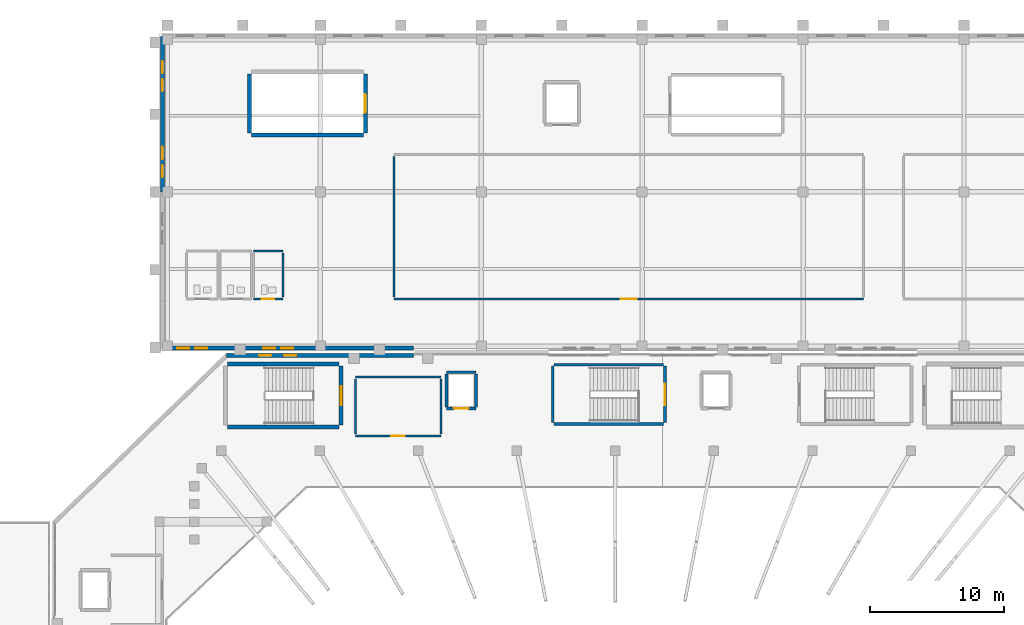
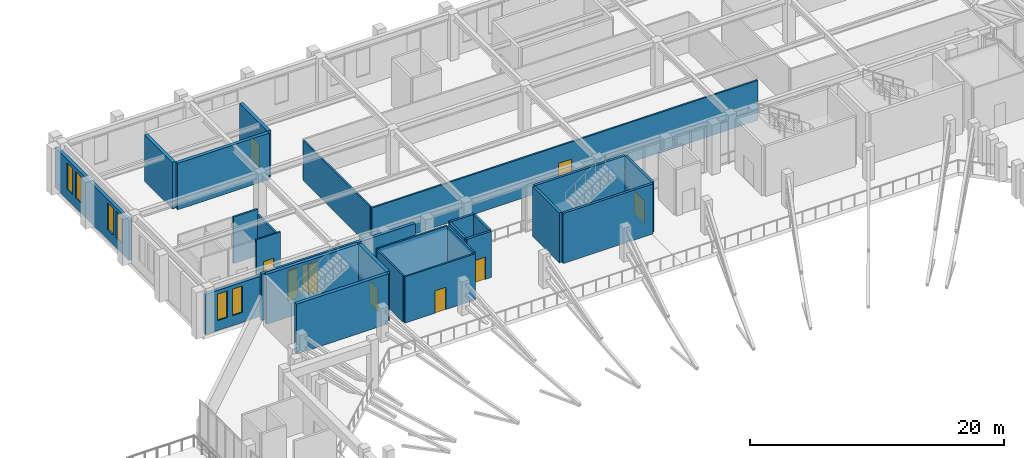
# One storey, part 60 of 79: 26 walls, 10 windows, 7 doors, 17 openings.
"""IFC4 building model written with IfcOpenShell, lengths in metres."""

from ifc_helpers import new_model, si_unit, derived_unit, direction, frame, frame_2d, origin, place, context, subcontext, project, spatial, rectangle, extrude, material, layer, layer_set, type_object, element, fill, save


model = new_model("IFC4")

# Units and contexts
model_context = context("Model", 3, precision=1e-05, world=origin(), true_north=direction((0.0, 1.0)))
body_context = subcontext(model_context, "Body", "Model", "MODEL_VIEW")
ifc_project = project(units=[si_unit("LENGTHUNIT", "METRE"), si_unit("AREAUNIT", "SQUARE_METRE"), si_unit("VOLUMEUNIT", "CUBIC_METRE"), si_unit("PLANEANGLEUNIT", "RADIAN"), si_unit("MASSUNIT", "GRAM", prefix="KILO"), derived_unit("THERMALTRANSMITTANCEUNIT", [(si_unit("MASSUNIT", "GRAM", prefix="KILO"), 1), (si_unit("TIMEUNIT", "SECOND"), -3), (si_unit("THERMODYNAMICTEMPERATUREUNIT", "KELVIN"), -1)])], contexts=[model_context])

# Site, building, storey
site_placement = place(None, origin())
site = spatial("IfcSite", under=ifc_project, at=site_placement, CompositionType="ELEMENT")
building_placement = place(site_placement, origin())
building = spatial("IfcBuilding", under=site, at=building_placement, Name="Valcora Ridge Arena", CompositionType="ELEMENT")
storey_placement = place(building_placement, frame((0.0, 0.0, 16.199951171875)))
storey = spatial("IfcBuildingStorey", under=building, at=storey_placement, Name="L03", CompositionType="ELEMENT", Elevation=16.199951171875)

# Wall, openings, windows
ifc_material_1 = material(Name="Bush-hammered Andean travertine on concrete backup C40/50", Category="masonry")
ifc_layer_1 = layer(ifc_material_1, 0.280029296875, Name="Bush-hammered Andean travertine on concrete backup C40/50")
ifc_layer_set_1 = layer_set([ifc_layer_1], Name="Bush-hammered Andean travertine on concrete backup C40/50")
wall_type_1 = type_object("IfcWallType", Name="TY-WALL-EW-TRV-28-38", PredefinedType="STANDARD", material=ifc_layer_set_1)
wall_1_placement = place(storey_placement, frame((24.219970703125, 120.199951171875, 0.0), z_axis=(0.0, 0.0, 1.0), x_axis=(0.0, 1.0, 0.0)))
wall_1 = element("IfcWall", 1, at=wall_1_placement, inside=storey, type_object=wall_type_1, Name="EW-TRV-28-38 WAL-EW-0215", PredefinedType="STANDARD", context=body_context, shape_type="SweptSolid", body=[
    extrude(rectangle(XDim=11.60009765625, YDim=0.280029296875, at=frame_2d((5.800048828125, 0.0))), origin(), (0.0, 0.0, 1.0), 3.84814453125),
])
opening_1_placement = place(wall_1_placement, frame((1.10009765625, 0.0, 0.949951171875)))
opening_1 = element("IfcOpeningElement", 2, at=opening_1_placement, cuts=wall_1, Name="Opening W-GLAN-90X255", PredefinedType="OPENING", context=body_context, shape_type="SweptSolid", body=[
    extrude(rectangle(XDim=0.89990234375, YDim=2.550048828125, at=frame_2d((0.449951171875, 1.27490234375))), frame((0.0, 0.14990234375, 0.0), z_axis=(0.0, -1.0, 0.0), x_axis=(1.0, 0.0, 0.0)), (0.0, 0.0, 1.0), 0.300048828125),
])
opening_2_placement = place(wall_1_placement, frame((2.449951171875, 0.0, 0.949951171875)))
opening_2 = element("IfcOpeningElement", 3, at=opening_2_placement, cuts=wall_1, Name="Opening W-GLAN-90X255", PredefinedType="OPENING", context=body_context, shape_type="SweptSolid", body=[
    extrude(rectangle(XDim=0.89990234375, YDim=2.550048828125, at=frame_2d((0.449951171875, 1.27490234375))), frame((0.0, 0.14990234375, 0.0), z_axis=(0.0, -1.0, 0.0), x_axis=(1.0, 0.0, 0.0)), (0.0, 0.0, 1.0), 0.300048828125),
])
opening_3_placement = place(wall_1_placement, frame((7.5, 0.0, 0.949951171875)))
opening_3 = element("IfcOpeningElement", 4, at=opening_3_placement, cuts=wall_1, Name="Opening W-GLAN-90X255", PredefinedType="OPENING", context=body_context, shape_type="SweptSolid", body=[
    extrude(rectangle(XDim=0.89990234375, YDim=2.550048828125, at=frame_2d((0.449951171875, 1.27490234375))), frame((0.0, 0.14990234375, 0.0), z_axis=(0.0, -1.0, 0.0), x_axis=(1.0, 0.0, 0.0)), (0.0, 0.0, 1.0), 0.300048828125),
])
opening_4_placement = place(wall_1_placement, frame((8.85009765625, 0.0, 0.949951171875)))
opening_4 = element("IfcOpeningElement", 5, at=opening_4_placement, cuts=wall_1, Name="Opening W-GLAN-90X255", PredefinedType="OPENING", context=body_context, shape_type="SweptSolid", body=[
    extrude(rectangle(XDim=0.89990234375, YDim=2.550048828125, at=frame_2d((0.449951171875, 1.27490234375))), frame((0.0, 0.14990234375, 0.0), z_axis=(0.0, -1.0, 0.0), x_axis=(1.0, 0.0, 0.0)), (0.0, 0.0, 1.0), 0.300048828125),
])
ifc_material_2 = material(Name="Low-iron solar-control double glazing SHGC 0.28", Category="glass")
window_type_1 = type_object("IfcWindowType", Name="TY-WINDOW-W-GLAN-90X255", PartitioningType="DOUBLE_PANEL_VERTICAL", PredefinedType="WINDOW", material=ifc_material_2)
window_1_placement = place(opening_1_placement, origin())
window_1 = element("IfcWindow", 6, at=window_1_placement, inside=storey, type_object=window_type_1, Name="W-GLAN-90X255 WIN-EX-0645", OverallHeight=2.550048828125, OverallWidth=0.89990234375, PartitioningType="DOUBLE_PANEL_VERTICAL", PredefinedType="WINDOW", context=body_context, shape_type="SweptSolid", body=[
    extrude(rectangle(XDim=0.89990234375, YDim=2.550048828125, at=frame_2d((0.449951171875, 1.27490234375))), frame((0.0, 0.030029296875, 0.0), z_axis=(0.0, -1.0, 0.0), x_axis=(1.0, 0.0, 0.0)), (0.0, 0.0, 1.0), 0.06005859375),
])
fill(opening_1, window_1)
window_2_placement = place(opening_2_placement, origin())
window_2 = element("IfcWindow", 7, at=window_2_placement, inside=storey, type_object=window_type_1, Name="W-GLAN-90X255 WIN-EX-0646", OverallHeight=2.550048828125, OverallWidth=0.89990234375, PartitioningType="DOUBLE_PANEL_VERTICAL", PredefinedType="WINDOW", context=body_context, shape_type="SweptSolid", body=[
    extrude(rectangle(XDim=0.89990234375, YDim=2.550048828125, at=frame_2d((0.449951171875, 1.27490234375))), frame((0.0, 0.030029296875, 0.0), z_axis=(0.0, -1.0, 0.0), x_axis=(1.0, 0.0, 0.0)), (0.0, 0.0, 1.0), 0.06005859375),
])
fill(opening_2, window_2)
window_3_placement = place(opening_3_placement, origin())
window_3 = element("IfcWindow", 8, at=window_3_placement, inside=storey, type_object=window_type_1, Name="W-GLAN-90X255 WIN-EX-0647", OverallHeight=2.550048828125, OverallWidth=0.89990234375, PartitioningType="DOUBLE_PANEL_VERTICAL", PredefinedType="WINDOW", context=body_context, shape_type="SweptSolid", body=[
    extrude(rectangle(XDim=0.89990234375, YDim=2.550048828125, at=frame_2d((0.449951171875, 1.27490234375))), frame((0.0, 0.030029296875, 0.0), z_axis=(0.0, -1.0, 0.0), x_axis=(1.0, 0.0, 0.0)), (0.0, 0.0, 1.0), 0.06005859375),
])
fill(opening_3, window_3)
window_4_placement = place(opening_4_placement, origin())
window_4 = element("IfcWindow", 9, at=window_4_placement, inside=storey, type_object=window_type_1, Name="W-GLAN-90X255 WIN-EX-0648", OverallHeight=2.550048828125, OverallWidth=0.89990234375, PartitioningType="DOUBLE_PANEL_VERTICAL", PredefinedType="WINDOW", context=body_context, shape_type="SweptSolid", body=[
    extrude(rectangle(XDim=0.89990234375, YDim=2.550048828125, at=frame_2d((0.449951171875, 1.27490234375))), frame((0.0, 0.030029296875, 0.0), z_axis=(0.0, -1.0, 0.0), x_axis=(1.0, 0.0, 0.0)), (0.0, 0.0, 1.0), 0.06005859375),
])
fill(opening_4, window_4)

wall_2_placement = place(storey_placement, frame((24.219970703125, 108.550048828125, 0.0), z_axis=(0.0, 0.0, 1.0), x_axis=(1.0, 0.0, 0.0)))
wall_2 = element("IfcWall", 10, at=wall_2_placement, inside=storey, type_object=wall_type_1, Name="EW-TRV-28-38 WAL-EW-0216", PredefinedType="STANDARD", context=body_context, shape_type="SweptSolid", body=[
    extrude(rectangle(XDim=18.72998046875, YDim=0.280029296875, at=frame_2d((9.364990234375, 0.0))), origin(), (0.0, 0.0, 1.0), 3.84814453125),
])
opening_5_placement = place(wall_2_placement, frame((1.10009765625, 0.0, 0.949951171875)))
opening_5 = element("IfcOpeningElement", 11, at=opening_5_placement, cuts=wall_2, Name="Opening W-GLAN-90X255", PredefinedType="OPENING", context=body_context, shape_type="SweptSolid", body=[
    extrude(rectangle(XDim=0.89990234375, YDim=2.550048828125, at=frame_2d((0.449951171875, 1.27490234375))), frame((0.0, 0.14990234375, 0.0), z_axis=(0.0, -1.0, 0.0), x_axis=(1.0, 0.0, 0.0)), (0.0, 0.0, 1.0), 0.300048828125),
])
opening_6_placement = place(wall_2_placement, frame((2.449951171875, 0.0, 0.949951171875)))
opening_6 = element("IfcOpeningElement", 12, at=opening_6_placement, cuts=wall_2, Name="Opening W-GLAN-90X255", PredefinedType="OPENING", context=body_context, shape_type="SweptSolid", body=[
    extrude(rectangle(XDim=0.89990234375, YDim=2.550048828125, at=frame_2d((0.449951171875, 1.27490234375))), frame((0.0, 0.14990234375, 0.0), z_axis=(0.0, -1.0, 0.0), x_axis=(1.0, 0.0, 0.0)), (0.0, 0.0, 1.0), 0.300048828125),
])
opening_7_placement = place(wall_2_placement, frame((7.5, 0.0, 0.949951171875)))
opening_7 = element("IfcOpeningElement", 13, at=opening_7_placement, cuts=wall_2, Name="Opening W-GLAN-90X255", PredefinedType="OPENING", context=body_context, shape_type="SweptSolid", body=[
    extrude(rectangle(XDim=0.89990234375, YDim=2.550048828125, at=frame_2d((0.449951171875, 1.27490234375))), frame((0.0, 0.14990234375, 0.0), z_axis=(0.0, -1.0, 0.0), x_axis=(1.0, 0.0, 0.0)), (0.0, 0.0, 1.0), 0.300048828125),
])
opening_8_placement = place(wall_2_placement, frame((8.85009765625, 0.0, 0.949951171875)))
opening_8 = element("IfcOpeningElement", 14, at=opening_8_placement, cuts=wall_2, Name="Opening W-GLAN-90X255", PredefinedType="OPENING", context=body_context, shape_type="SweptSolid", body=[
    extrude(rectangle(XDim=0.89990234375, YDim=2.550048828125, at=frame_2d((0.449951171875, 1.27490234375))), frame((0.0, 0.14990234375, 0.0), z_axis=(0.0, -1.0, 0.0), x_axis=(1.0, 0.0, 0.0)), (0.0, 0.0, 1.0), 0.300048828125),
])
window_5_placement = place(opening_5_placement, origin())
window_5 = element("IfcWindow", 15, at=window_5_placement, inside=storey, type_object=window_type_1, Name="W-GLAN-90X255 WIN-EX-0649", OverallHeight=2.550048828125, OverallWidth=0.89990234375, PartitioningType="DOUBLE_PANEL_VERTICAL", PredefinedType="WINDOW", context=body_context, shape_type="SweptSolid", body=[
    extrude(rectangle(XDim=0.89990234375, YDim=2.550048828125, at=frame_2d((0.449951171875, 1.27490234375))), frame((0.0, 0.030029296875, 0.0), z_axis=(0.0, -1.0, 0.0), x_axis=(1.0, 0.0, 0.0)), (0.0, 0.0, 1.0), 0.06005859375),
])
fill(opening_5, window_5)
window_6_placement = place(opening_6_placement, origin())
window_6 = element("IfcWindow", 16, at=window_6_placement, inside=storey, type_object=window_type_1, Name="W-GLAN-90X255 WIN-EX-0650", OverallHeight=2.550048828125, OverallWidth=0.89990234375, PartitioningType="DOUBLE_PANEL_VERTICAL", PredefinedType="WINDOW", context=body_context, shape_type="SweptSolid", body=[
    extrude(rectangle(XDim=0.89990234375, YDim=2.550048828125, at=frame_2d((0.449951171875, 1.27490234375))), frame((0.0, 0.030029296875, 0.0), z_axis=(0.0, -1.0, 0.0), x_axis=(1.0, 0.0, 0.0)), (0.0, 0.0, 1.0), 0.06005859375),
])
fill(opening_6, window_6)
window_7_placement = place(opening_7_placement, origin())
window_7 = element("IfcWindow", 17, at=window_7_placement, inside=storey, type_object=window_type_1, Name="W-GLAN-90X255 WIN-EX-0651", OverallHeight=2.550048828125, OverallWidth=0.89990234375, PartitioningType="DOUBLE_PANEL_VERTICAL", PredefinedType="WINDOW", context=body_context, shape_type="SweptSolid", body=[
    extrude(rectangle(XDim=0.89990234375, YDim=2.550048828125, at=frame_2d((0.449951171875, 1.27490234375))), frame((0.0, 0.030029296875, 0.0), z_axis=(0.0, -1.0, 0.0), x_axis=(1.0, 0.0, 0.0)), (0.0, 0.0, 1.0), 0.06005859375),
])
fill(opening_7, window_7)
window_8_placement = place(opening_8_placement, origin())
window_8 = element("IfcWindow", 18, at=window_8_placement, inside=storey, type_object=window_type_1, Name="W-GLAN-90X255 WIN-EX-0652", OverallHeight=2.550048828125, OverallWidth=0.89990234375, PartitioningType="DOUBLE_PANEL_VERTICAL", PredefinedType="WINDOW", context=body_context, shape_type="SweptSolid", body=[
    extrude(rectangle(XDim=0.89990234375, YDim=2.550048828125, at=frame_2d((0.449951171875, 1.27490234375))), frame((0.0, 0.030029296875, 0.0), z_axis=(0.0, -1.0, 0.0), x_axis=(1.0, 0.0, 0.0)), (0.0, 0.0, 1.0), 0.06005859375),
])
fill(opening_8, window_8)

ifc_layer_2 = layer(ifc_material_1, 0.280029296875, Name="Bush-hammered Andean travertine on concrete backup C40/50")
ifc_layer_set_2 = layer_set([ifc_layer_2], Name="Bush-hammered Andean travertine on concrete backup C40/50")
wall_type_2 = type_object("IfcWallType", Name="TY-WALL-EW-TRV-28-44", PredefinedType="STANDARD", material=ifc_layer_set_2)
wall_3_placement = place(storey_placement, frame((29.0, 108.0, 0.0), z_axis=(0.0, 0.0, 1.0), x_axis=(1.0, 0.0, 0.0)))
wall_3 = element("IfcWall", 19, at=wall_3_placement, inside=storey, type_object=wall_type_2, Name="EW-TRV-28-44 WAL-EW-0057", PredefinedType="STANDARD", context=body_context, shape_type="SweptSolid", body=[
    extrude(rectangle(XDim=13.949951171875, YDim=0.280029296875, at=frame_2d((6.97509765625, 0.0))), origin(), (0.0, 0.0, 1.0), 4.43994140625),
])
opening_9_placement = place(wall_3_placement, frame((2.449951171875, 0.0, 0.949951171875)))
opening_9 = element("IfcOpeningElement", 20, at=opening_9_placement, cuts=wall_3, Name="Opening W-GLAN-90X285", PredefinedType="OPENING", context=body_context, shape_type="SweptSolid", body=[
    extrude(rectangle(XDim=0.89990234375, YDim=2.85009765625, at=frame_2d((0.449951171875, 1.425048828125))), frame((0.0, 0.14990234375, 0.0), z_axis=(0.0, -1.0, 0.0), x_axis=(1.0, 0.0, 0.0)), (0.0, 0.0, 1.0), 0.300048828125),
])
opening_10_placement = place(wall_3_placement, frame((4.300048828125, 0.0, 0.949951171875)))
opening_10 = element("IfcOpeningElement", 21, at=opening_10_placement, cuts=wall_3, Name="Opening W-GLAN-90X285", PredefinedType="OPENING", context=body_context, shape_type="SweptSolid", body=[
    extrude(rectangle(XDim=0.89990234375, YDim=2.85009765625, at=frame_2d((0.449951171875, 1.425048828125))), frame((0.0, 0.14990234375, 0.0), z_axis=(0.0, -1.0, 0.0), x_axis=(1.0, 0.0, 0.0)), (0.0, 0.0, 1.0), 0.300048828125),
])
window_type_2 = type_object("IfcWindowType", Name="TY-WINDOW-W-GLAN-90X285", PartitioningType="DOUBLE_PANEL_VERTICAL", PredefinedType="WINDOW", material=ifc_material_2)
window_9_placement = place(opening_9_placement, origin())
window_9 = element("IfcWindow", 22, at=window_9_placement, inside=storey, type_object=window_type_2, Name="W-GLAN-90X285 WIN-EX-0132", OverallHeight=2.85009765625, OverallWidth=0.89990234375, PartitioningType="DOUBLE_PANEL_VERTICAL", PredefinedType="WINDOW", context=body_context, shape_type="SweptSolid", body=[
    extrude(rectangle(XDim=0.89990234375, YDim=2.85009765625, at=frame_2d((0.449951171875, 1.425048828125))), frame((0.0, 0.030029296875, 0.0), z_axis=(0.0, -1.0, 0.0), x_axis=(1.0, 0.0, 0.0)), (0.0, 0.0, 1.0), 0.06005859375),
])
fill(opening_9, window_9)
window_10_placement = place(opening_10_placement, origin())
window_10 = element("IfcWindow", 23, at=window_10_placement, inside=storey, type_object=window_type_2, Name="W-GLAN-90X285 WIN-EX-0133", OverallHeight=2.85009765625, OverallWidth=0.89990234375, PartitioningType="DOUBLE_PANEL_VERTICAL", PredefinedType="WINDOW", context=body_context, shape_type="SweptSolid", body=[
    extrude(rectangle(XDim=0.89990234375, YDim=2.85009765625, at=frame_2d((0.449951171875, 1.425048828125))), frame((0.0, 0.030029296875, 0.0), z_axis=(0.0, -1.0, 0.0), x_axis=(1.0, 0.0, 0.0)), (0.0, 0.0, 1.0), 0.06005859375),
])
fill(opening_10, window_10)

# Wall, opening, door
ifc_material_3 = material(Name="Fire-rated masonry-core compartment wall C35/45 150 mm", Category="masonry")
ifc_layer_3 = layer(ifc_material_3, 0.14990234375, Name="Fire-rated masonry-core compartment wall C35/45 150 mm")
ifc_layer_set_3 = layer_set([ifc_layer_3], Name="Fire-rated masonry-core compartment wall C35/45 150 mm")
wall_type_3 = type_object("IfcWallType", Name="TY-WALL-IW-COMP-150", PredefinedType="STANDARD", material=ifc_layer_set_3)
wall_4_placement = place(storey_placement, frame((31.0, 112.199951171875, 0.0), z_axis=(0.0, 0.0, 1.0), x_axis=(1.0, 0.0, 0.0)))
wall_4 = element("IfcWall", 24, at=wall_4_placement, inside=storey, type_object=wall_type_3, Name="IW-COMP-150 WAL-IN-0151", PredefinedType="STANDARD", context=body_context, shape_type="SweptSolid", body=[
    extrude(rectangle(XDim=2.199951171875, YDim=0.14990234375, at=frame_2d((1.10009765625, 0.0))), origin(), (0.0, 0.0, 1.0), 4.4599609375),
])
opening_11_placement = place(wall_4_placement, frame((0.625, 0.0, 0.0)))
opening_11 = element("IfcOpeningElement", 25, at=opening_11_placement, cuts=wall_4, Name="Opening D-WC-950", PredefinedType="OPENING", context=body_context, shape_type="SweptSolid", body=[
    extrude(rectangle(XDim=0.949951171875, YDim=2.14990234375, at=frame_2d((0.47509765625, 1.074951171875))), frame((0.0, 0.0849609375, 0.0), z_axis=(0.0, -1.0, 0.0), x_axis=(1.0, 0.0, 0.0)), (0.0, 0.0, 1.0), 0.169921875),
])
ifc_material_4 = material(Name="Insulated fire-rated steel door leaf", Category="steel")
door_type_1 = type_object("IfcDoorType", Name="TY-DOOR-D-WC-950", OperationType="NOTDEFINED", PredefinedType="DOOR", material=ifc_material_4)
door_1_placement = place(opening_11_placement, origin())
door_1 = element("IfcDoor", 26, at=door_1_placement, inside=storey, type_object=door_type_1, Name="D-WC-950 DOR-IN-0042", OperationType="SINGLE_SWING_RIGHT", OverallHeight=2.14990234375, OverallWidth=0.949951171875, PredefinedType="DOOR", context=body_context, shape_type="SweptSolid", body=[
    extrude(rectangle(XDim=0.949951171875, YDim=2.14990234375, at=frame_2d((0.47509765625, 1.074951171875))), frame((0.0, 0.02490234375, 0.0), z_axis=(0.0, -1.0, 0.0), x_axis=(1.0, 0.0, 0.0)), (0.0, 0.0, 1.0), 0.050048828125),
])
fill(opening_11, door_1)

# Walls
wall_5_placement = place(storey_placement, frame((31.0, 115.800048828125, 0.0), z_axis=(0.0, 0.0, 1.0), x_axis=(1.0, 0.0, 0.0)))
element("IfcWall", 27, at=wall_5_placement, inside=storey, type_object=wall_type_3, Name="IW-COMP-150 WAL-IN-0152", PredefinedType="STANDARD", context=body_context, shape_type="SweptSolid", body=[
    extrude(rectangle(XDim=2.199951171875, YDim=0.14990234375, at=frame_2d((1.10009765625, 0.0))), origin(), (0.0, 0.0, 1.0), 4.4599609375),
])
wall_6_placement = place(storey_placement, frame((33.199951171875, 112.35009765625, 0.0), z_axis=(0.0, 0.0, 1.0), x_axis=(0.0, 1.0, 0.0)))
element("IfcWall", 28, at=wall_6_placement, inside=storey, type_object=wall_type_3, Name="IW-COMP-150 WAL-IN-0154", PredefinedType="STANDARD", context=body_context, shape_type="SweptSolid", body=[
    extrude(rectangle(XDim=3.2998046875, YDim=0.14990234375, at=frame_2d((1.64990234375, 0.0))), origin(), (0.0, 0.0, 1.0), 4.0029296875),
])

# Wall, opening, door
wall_7_placement = place(storey_placement, frame((38.60009765625, 102.0, 0.0), z_axis=(0.0, 0.0, 1.0), x_axis=(1.0, 0.0, 0.0)))
wall_7 = element("IfcWall", 29, at=wall_7_placement, inside=storey, type_object=wall_type_3, Name="IW-COMP-150 WAL-IN-0407", PredefinedType="STANDARD", context=body_context, shape_type="SweptSolid", body=[
    extrude(rectangle(XDim=6.39990234375, YDim=0.14990234375, at=frame_2d((3.199951171875, 0.0))), origin(), (0.0, 0.0, 1.0), 4.43994140625),
])
opening_12_placement = place(wall_7_placement, frame((2.699951171875, 0.0, 0.0)))
opening_12 = element("IfcOpeningElement", 30, at=opening_12_placement, cuts=wall_7, Name="Opening FD-STE-1000", PredefinedType="OPENING", context=body_context, shape_type="SweptSolid", body=[
    extrude(rectangle(XDim=1.0, YDim=2.14990234375, at=frame_2d((0.5, 1.074951171875))), frame((0.0, 0.0849609375, 0.0), z_axis=(0.0, -1.0, 0.0), x_axis=(1.0, 0.0, 0.0)), (0.0, 0.0, 1.0), 0.169921875),
])
door_type_2 = type_object("IfcDoorType", Name="TY-DOOR-FD-STE-1000", OperationType="NOTDEFINED", PredefinedType="DOOR", material=ifc_material_4)
door_2_placement = place(opening_12_placement, origin())
door_2 = element("IfcDoor", 31, at=door_2_placement, inside=storey, type_object=door_type_2, Name="FD-STE-1000 DOR-IN-0107", OperationType="SINGLE_SWING_LEFT", OverallHeight=2.14990234375, OverallWidth=1.0, PredefinedType="DOOR", context=body_context, shape_type="SweptSolid", body=[
    extrude(rectangle(XDim=1.0, YDim=2.14990234375, at=frame_2d((0.5, 1.074951171875))), frame((0.0, 0.02490234375, 0.0), z_axis=(0.0, -1.0, 0.0), x_axis=(1.0, 0.0, 0.0)), (0.0, 0.0, 1.0), 0.050048828125),
])
fill(opening_12, door_2)

# Walls
wall_8_placement = place(storey_placement, frame((38.60009765625, 106.39990234375, 0.0), z_axis=(0.0, 0.0, 1.0), x_axis=(1.0, 0.0, 0.0)))
element("IfcWall", 32, at=wall_8_placement, inside=storey, type_object=wall_type_3, Name="IW-COMP-150 WAL-IN-0408", PredefinedType="STANDARD", context=body_context, shape_type="SweptSolid", body=[
    extrude(rectangle(XDim=6.39990234375, YDim=0.14990234375, at=frame_2d((3.199951171875, 0.0))), origin(), (0.0, 0.0, 1.0), 4.43994140625),
])
for number, where, z_axis, x_axis, name in (
    (33, (38.60009765625, 102.14990234375, 0.0), (0.0, 0.0, 1.0), (0.0, 1.0, 0.0), "IW-COMP-150 WAL-IN-0409"),
    (34, (45.0, 102.14990234375, 0.0), (0.0, 0.0, 1.0), (0.0, 1.0, 0.0), "IW-COMP-150 WAL-IN-0410"),
):
    element("IfcWall", number, at=place(storey_placement, frame(where, z_axis=z_axis, x_axis=x_axis)), inside=storey, type_object=wall_type_3, Name=name, PredefinedType="STANDARD", context=body_context, shape_type="SweptSolid", body=[
        extrude(rectangle(XDim=4.10009765625, YDim=0.14990234375, at=frame_2d((2.050048828125, 0.0))), origin(), (0.0, 0.0, 1.0), 4.43994140625),
    ])

# Wall, opening, door
wall_9_placement = place(storey_placement, frame((41.5, 112.199951171875, 0.0), z_axis=(0.0, 0.0, 1.0), x_axis=(1.0, 0.0, 0.0)))
wall_9 = element("IfcWall", 35, at=wall_9_placement, inside=storey, type_object=wall_type_3, Name="IW-COMP-150 WAL-IN-0439", PredefinedType="STANDARD", context=body_context, shape_type="SweptSolid", body=[
    extrude(rectangle(XDim=35.0, YDim=0.14990234375, at=frame_2d((17.5, 0.0))), origin(), (0.0, 0.0, 1.0), 3.84814453125),
])
opening_13_placement = place(wall_9_placement, frame((16.89990234375, 0.0, 0.0)))
opening_13 = element("IfcOpeningElement", 36, at=opening_13_placement, cuts=wall_9, Name="Opening FD-BRD-1200", PredefinedType="OPENING", context=body_context, shape_type="SweptSolid", body=[
    extrude(rectangle(XDim=1.199951171875, YDim=2.199951171875, at=frame_2d((0.60009765625, 1.10009765625))), frame((0.0, 0.0849609375, 0.0), z_axis=(0.0, -1.0, 0.0), x_axis=(1.0, 0.0, 0.0)), (0.0, 0.0, 1.0), 0.169921875),
])
door_type_3 = type_object("IfcDoorType", Name="TY-DOOR-FD-BRD-1200", OperationType="NOTDEFINED", PredefinedType="DOOR", material=ifc_material_4)
door_3_placement = place(opening_13_placement, origin())
door_3 = element("IfcDoor", 37, at=door_3_placement, inside=storey, type_object=door_type_3, Name="FD-BRD-1200 DOR-IN-0115", OperationType="SINGLE_SWING_LEFT", OverallHeight=2.199951171875, OverallWidth=1.199951171875, PredefinedType="DOOR", context=body_context, shape_type="SweptSolid", body=[
    extrude(rectangle(XDim=1.199951171875, YDim=2.199951171875, at=frame_2d((0.60009765625, 1.10009765625))), frame((0.0, 0.02490234375, 0.0), z_axis=(0.0, -1.0, 0.0), x_axis=(1.0, 0.0, 0.0)), (0.0, 0.0, 1.0), 0.050048828125),
])
fill(opening_13, door_3)

# Wall
wall_10_placement = place(storey_placement, frame((41.5, 112.35009765625, 0.0), z_axis=(0.0, 0.0, 1.0), x_axis=(0.0, 1.0, 0.0)))
element("IfcWall", 38, at=wall_10_placement, inside=storey, type_object=wall_type_3, Name="IW-COMP-150 WAL-IN-0441", PredefinedType="STANDARD", context=body_context, shape_type="SweptSolid", body=[
    extrude(rectangle(XDim=10.5, YDim=0.14990234375, at=frame_2d((5.25, 0.0))), origin(), (0.0, 0.0, 1.0), 3.84814453125),
])

# Wall, opening, door
ifc_material_5 = material(Name="Concrete C40/50", Category="concrete")
ifc_layer_4 = layer(ifc_material_5, 0.199951171875, Name="Concrete C40/50")
ifc_layer_set_4 = layer_set([ifc_layer_4], Name="Concrete C40/50")
wall_type_4 = type_object("IfcWallType", Name="TY-WALL-IW-SHF-200", PredefinedType="STANDARD", material=ifc_layer_set_4)
wall_11_placement = place(storey_placement, frame((45.39990234375, 104.050048828125, 0.0), z_axis=(0.0, 0.0, 1.0), x_axis=(1.0, 0.0, 0.0)))
wall_11 = element("IfcWall", 39, at=wall_11_placement, inside=storey, type_object=wall_type_4, Name="IW-SHF-200 WAL-SH-0121", PredefinedType="STANDARD", context=body_context, shape_type="SweptSolid", body=[
    extrude(rectangle(XDim=2.2001953125, YDim=0.199951171875, at=frame_2d((1.10009765625, 0.0))), origin(), (0.0, 0.0, 1.0), 4.43994140625),
])
opening_14_placement = place(wall_11_placement, frame((0.550048828125, 0.0, 0.0)))
opening_14 = element("IfcOpeningElement", 40, at=opening_14_placement, cuts=wall_11, Name="Opening LD-PAX", PredefinedType="OPENING", context=body_context, shape_type="SweptSolid", body=[
    extrude(rectangle(XDim=1.10009765625, YDim=2.14990234375, at=frame_2d((0.550048828125, 1.074951171875))), frame((0.0, 0.10986328125, 0.0), z_axis=(0.0, -1.0, 0.0), x_axis=(1.0, 0.0, 0.0)), (0.0, 0.0, 1.0), 0.219970703125),
])
ifc_material_6 = material(Name="Insulated fire-rated hollow metal steel", Category="steel")
door_type_4 = type_object("IfcDoorType", Name="TY-DOOR-LD-PAX", OperationType="NOTDEFINED", PredefinedType="DOOR", material=ifc_material_6)
door_4_placement = place(opening_14_placement, origin())
door_4 = element("IfcDoor", 41, at=door_4_placement, inside=storey, type_object=door_type_4, Name="PL3 Landing Door L03", OperationType="SLIDING_TO_LEFT", OverallHeight=2.14990234375, OverallWidth=1.10009765625, PredefinedType="DOOR", context=body_context, shape_type="SweptSolid", body=[
    extrude(rectangle(XDim=1.10009765625, YDim=2.14990234375, at=frame_2d((0.550048828125, 1.074951171875))), frame((0.0, 0.02490234375, 0.0), z_axis=(0.0, -1.0, 0.0), x_axis=(1.0, 0.0, 0.0)), (0.0, 0.0, 1.0), 0.050048828125),
])
fill(opening_14, door_4)

# Walls
wall_12_placement = place(storey_placement, frame((45.39990234375, 106.75, 0.0), z_axis=(0.0, 0.0, 1.0), x_axis=(1.0, 0.0, 0.0)))
element("IfcWall", 42, at=wall_12_placement, inside=storey, type_object=wall_type_4, Name="IW-SHF-200 WAL-SH-0122", PredefinedType="STANDARD", context=body_context, shape_type="SweptSolid", body=[
    extrude(rectangle(XDim=2.2001953125, YDim=0.199951171875, at=frame_2d((1.10009765625, 0.0))), origin(), (0.0, 0.0, 1.0), 4.43994140625),
])
for number, where, z_axis, x_axis, name in (
    (43, (45.39990234375, 104.169921875, 0.0), (0.0, 0.0, 1.0), (0.0, 1.0, 0.0), "IW-SHF-200 WAL-SH-0123"),
    (44, (47.60009765625, 104.169921875, 0.0), (0.0, 0.0, 1.0), (0.0, 1.0, 0.0), "IW-SHF-200 WAL-SH-0124"),
):
    element("IfcWall", number, at=place(storey_placement, frame(where, z_axis=z_axis, x_axis=x_axis)), inside=storey, type_object=wall_type_4, Name=name, PredefinedType="STANDARD", context=body_context, shape_type="SweptSolid", body=[
        extrude(rectangle(XDim=2.4599609375, YDim=0.199951171875, at=frame_2d((1.22998046875, 0.0))), origin(), (0.0, 0.0, 1.0), 4.43994140625),
    ])
ifc_material_7 = material(Name="Concrete C45/55", Category="concrete")
ifc_layer_5 = layer(ifc_material_7, 0.300048828125, Name="Concrete C45/55")
ifc_layer_set_5 = layer_set([ifc_layer_5], Name="Concrete C45/55")
wall_type_5 = type_object("IfcWallType", Name="TY-WALL-SW-C300-L", PredefinedType="SHEAR", material=ifc_layer_set_5)
for number, where, z_axis, x_axis, name in (
    (45, (29.080078125, 102.64990234375, 0.0), (0.0, 0.0, 1.0), (1.0, 0.0, 0.0), "SW-C300-L WAL-CR-0069"),
    (46, (29.080078125, 107.35009765625, 0.0), (0.0, 0.0, 1.0), (1.0, 0.0, 0.0), "SW-C300-L WAL-CR-0070"),
):
    element("IfcWall", number, at=place(storey_placement, frame(where, z_axis=z_axis, x_axis=x_axis)), inside=storey, type_object=wall_type_5, Name=name, PredefinedType="SHEAR", context=body_context, shape_type="SweptSolid", body=[
        extrude(rectangle(XDim=8.31982421875, YDim=0.300048828125, at=frame_2d((4.159912109375, 0.0))), origin(), (0.0, 0.0, 1.0), 4.800048828125),
    ])
wall_13_placement = place(storey_placement, frame((30.8798828125, 124.449951171875, 0.0), z_axis=(0.0, 0.0, 1.0), x_axis=(1.0, 0.0, 0.0)))
element("IfcWall", 47, at=wall_13_placement, inside=storey, type_object=wall_type_5, Name="SW-C300-L WAL-CR-0193", PredefinedType="SHEAR", context=body_context, shape_type="SweptSolid", body=[
    extrude(rectangle(XDim=8.320068359375, YDim=0.300048828125, at=frame_2d((4.16015625, 0.0))), origin(), (0.0, 0.0, 1.0), 4.4599609375),
])

# Wall, opening, door
ifc_layer_6 = layer(ifc_material_7, 0.300048828125, Name="Concrete C45/55")
ifc_layer_set_6 = layer_set([ifc_layer_6], Name="Concrete C45/55")
wall_type_6 = type_object("IfcWallType", Name="TY-WALL-SW-C300-S", PredefinedType="SHEAR", material=ifc_layer_set_6)
wall_14_placement = place(storey_placement, frame((37.550048828125, 102.800048828125, 0.0), z_axis=(0.0, 0.0, 1.0), x_axis=(0.0, 1.0, 0.0)))
wall_14 = element("IfcWall", 48, at=wall_14_placement, inside=storey, type_object=wall_type_6, Name="SW-C300-S WAL-CR-0072", PredefinedType="SHEAR", context=body_context, shape_type="SweptSolid", body=[
    extrude(rectangle(XDim=4.39990234375, YDim=0.300048828125, at=frame_2d((2.199951171875, 0.0))), origin(), (0.0, 0.0, 1.0), 4.800048828125),
])
opening_15_placement = place(wall_14_placement, frame((1.5, 0.0, 0.0)))
opening_15 = element("IfcOpeningElement", 49, at=opening_15_placement, cuts=wall_14, Name="Opening FD-01", PredefinedType="OPENING", context=body_context, shape_type="SweptSolid", body=[
    extrude(rectangle(XDim=1.39990234375, YDim=2.199951171875, at=frame_2d((0.699951171875, 1.10009765625))), frame((0.0, 0.159912109375, 0.0), z_axis=(0.0, -1.0, 0.0), x_axis=(1.0, 0.0, 0.0)), (0.0, 0.0, 1.0), 0.320068359375),
])
door_type_5 = type_object("IfcDoorType", Name="TY-DOOR-FD-01", OperationType="NOTDEFINED", PredefinedType="DOOR", material=ifc_material_4)
door_5_placement = place(opening_15_placement, origin())
door_5 = element("IfcDoor", 50, at=door_5_placement, inside=storey, type_object=door_type_5, Name="FD-01 DOR-ST-0018", OperationType="DOUBLE_DOOR_SINGLE_SWING", OverallHeight=2.199951171875, OverallWidth=1.39990234375, PredefinedType="DOOR", context=body_context, shape_type="SweptSolid", body=[
    extrude(rectangle(XDim=1.39990234375, YDim=2.199951171875, at=frame_2d((0.699951171875, 1.10009765625))), frame((0.0, 0.02490234375, 0.0), z_axis=(0.0, -1.0, 0.0), x_axis=(1.0, 0.0, 0.0)), (0.0, 0.0, 1.0), 0.050048828125),
])
fill(opening_15, door_5)

# Wall
wall_15_placement = place(storey_placement, frame((30.72998046875, 124.60009765625, 0.0), z_axis=(0.0, 0.0, 1.0), x_axis=(0.0, 1.0, 0.0)))
element("IfcWall", 51, at=wall_15_placement, inside=storey, type_object=wall_type_6, Name="SW-C300-S WAL-CR-0195", PredefinedType="SHEAR", context=body_context, shape_type="SweptSolid", body=[
    extrude(rectangle(XDim=4.39990234375, YDim=0.300048828125, at=frame_2d((2.199951171875, 0.0))), origin(), (0.0, 0.0, 1.0), 4.4599609375),
])

# Wall, opening, door
wall_16_placement = place(storey_placement, frame((39.35009765625, 124.60009765625, 0.0), z_axis=(0.0, 0.0, 1.0), x_axis=(0.0, 1.0, 0.0)))
wall_16 = element("IfcWall", 52, at=wall_16_placement, inside=storey, type_object=wall_type_6, Name="SW-C300-S WAL-CR-0196", PredefinedType="SHEAR", context=body_context, shape_type="SweptSolid", body=[
    extrude(rectangle(XDim=4.39990234375, YDim=0.300048828125, at=frame_2d((2.199951171875, 0.0))), origin(), (0.0, 0.0, 1.0), 4.4599609375),
])
opening_16_placement = place(wall_16_placement, frame((1.5, 0.0, 0.0)))
opening_16 = element("IfcOpeningElement", 53, at=opening_16_placement, cuts=wall_16, Name="Opening FD-01", PredefinedType="OPENING", context=body_context, shape_type="SweptSolid", body=[
    extrude(rectangle(XDim=1.39990234375, YDim=2.199951171875, at=frame_2d((0.699951171875, 1.10009765625))), frame((0.0, 0.159912109375, 0.0), z_axis=(0.0, -1.0, 0.0), x_axis=(1.0, 0.0, 0.0)), (0.0, 0.0, 1.0), 0.320068359375),
])
door_6_placement = place(opening_16_placement, origin())
door_6 = element("IfcDoor", 54, at=door_6_placement, inside=storey, type_object=door_type_5, Name="FD-01 DOR-ST-0049", OperationType="DOUBLE_DOOR_SINGLE_SWING", OverallHeight=2.199951171875, OverallWidth=1.39990234375, PredefinedType="DOOR", context=body_context, shape_type="SweptSolid", body=[
    extrude(rectangle(XDim=1.39990234375, YDim=2.199951171875, at=frame_2d((0.699951171875, 1.10009765625))), frame((0.0, 0.02490234375, 0.0), z_axis=(0.0, -1.0, 0.0), x_axis=(1.0, 0.0, 0.0)), (0.0, 0.0, 1.0), 0.050048828125),
])
fill(opening_16, door_6)

# Walls
ifc_material_8 = material(Name="Fire-resisting reinforced concrete enclosure C40/50 200 mm", Category="concrete")
ifc_layer_7 = layer(ifc_material_8, 0.219970703125, Name="Fire-resisting reinforced concrete enclosure C40/50 200 mm")
ifc_layer_set_7 = layer_set([ifc_layer_7], Name="Fire-resisting reinforced concrete enclosure C40/50 200 mm")
wall_type_7 = type_object("IfcWallType", Name="TY-WALL-SW-ES-220", PredefinedType="SHEAR", material=ifc_layer_set_7)
for number, where, z_axis, x_axis, name in (
    (55, (53.43994140625, 102.889892578125, 0.0), (0.0, 0.0, 1.0), (1.0, 0.0, 0.0), "SW-ES-220 WAL-ES-0065"),
    (56, (53.43994140625, 107.31005859375, 0.0), (0.0, 0.0, 1.0), (1.0, 0.0, 0.0), "SW-ES-220 WAL-ES-0066"),
):
    element("IfcWall", number, at=place(storey_placement, frame(where, z_axis=z_axis, x_axis=x_axis)), inside=storey, type_object=wall_type_7, Name=name, PredefinedType="SHEAR", context=body_context, shape_type="SweptSolid", body=[
        extrude(rectangle(XDim=8.16015625, YDim=0.219970703125, at=frame_2d((4.080078125, 0.0))), origin(), (0.0, 0.0, 1.0), 4.800048828125),
    ])
wall_17_placement = place(storey_placement, frame((53.330078125, 103.0, 0.0), z_axis=(0.0, 0.0, 1.0), x_axis=(0.0, 1.0, 0.0)))
element("IfcWall", 57, at=wall_17_placement, inside=storey, type_object=wall_type_7, Name="SW-ES-220 WAL-ES-0067", PredefinedType="SHEAR", context=body_context, shape_type="SweptSolid", body=[
    extrude(rectangle(XDim=4.199951171875, YDim=0.219970703125, at=frame_2d((2.10009765625, 0.0))), origin(), (0.0, 0.0, 1.0), 4.800048828125),
])

# Wall, opening, door
wall_18_placement = place(storey_placement, frame((61.7099609375, 103.0, 0.0), z_axis=(0.0, 0.0, 1.0), x_axis=(0.0, 1.0, 0.0)))
wall_18 = element("IfcWall", 58, at=wall_18_placement, inside=storey, type_object=wall_type_7, Name="SW-ES-220 WAL-ES-0068", PredefinedType="SHEAR", context=body_context, shape_type="SweptSolid", body=[
    extrude(rectangle(XDim=4.199951171875, YDim=0.219970703125, at=frame_2d((2.10009765625, 0.0))), origin(), (0.0, 0.0, 1.0), 4.800048828125),
])
opening_17_placement = place(wall_18_placement, frame((1.300048828125, 0.0, 0.0)))
opening_17 = element("IfcOpeningElement", 59, at=opening_17_placement, cuts=wall_18, Name="Opening FD-02", PredefinedType="OPENING", context=body_context, shape_type="SweptSolid", body=[
    extrude(rectangle(XDim=1.60009765625, YDim=2.199951171875, at=frame_2d((0.800048828125, 1.10009765625))), frame((0.0, 0.119873046875, 0.0), z_axis=(0.0, -1.0, 0.0), x_axis=(1.0, 0.0, 0.0)), (0.0, 0.0, 1.0), 0.239990234375),
])
door_type_6 = type_object("IfcDoorType", Name="TY-DOOR-FD-02", OperationType="NOTDEFINED", PredefinedType="DOOR", material=ifc_material_4)
door_7_placement = place(opening_17_placement, origin())
door_7 = element("IfcDoor", 60, at=door_7_placement, inside=storey, type_object=door_type_6, Name="FD-02 DOR-ES-0014", OperationType="DOUBLE_DOOR_SINGLE_SWING", OverallHeight=2.199951171875, OverallWidth=1.60009765625, PredefinedType="DOOR", context=body_context, shape_type="SweptSolid", body=[
    extrude(rectangle(XDim=1.60009765625, YDim=2.199951171875, at=frame_2d((0.800048828125, 1.10009765625))), frame((0.0, 0.02490234375, 0.0), z_axis=(0.0, -1.0, 0.0), x_axis=(1.0, 0.0, 0.0)), (0.0, 0.0, 1.0), 0.050048828125),
])
fill(opening_17, door_7)

save(model, "model.ifc")
